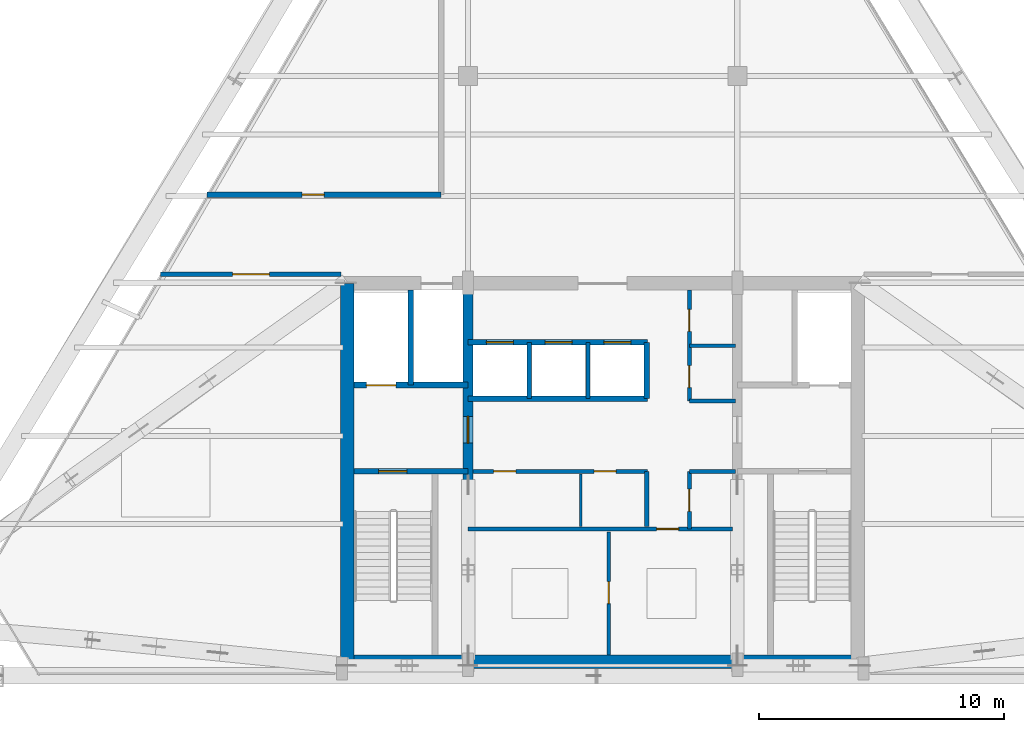
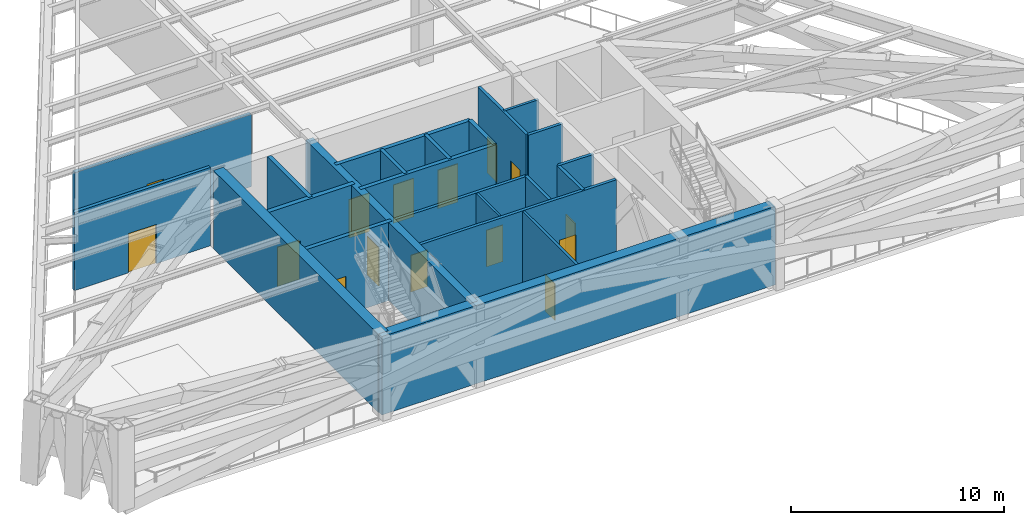
# One storey, part 6 of 9: 23 walls, 15 doors, 15 openings.
"""IFC4 building model written with IfcOpenShell, lengths in metres."""

import ifcopenshell
import ifcopenshell.guid

model = None  # the IFC model being written
_history = None  # IfcOwnerHistory: only IFC2X3 demands one
_inside = {}  # id of a spatial element -> (the spatial element, [elements in it])
_under = {}  # id of a project, library or spatial element -> (it, [spatial elements below it])
_declared = {}  # id of a project -> (the project, [libraries it declares])
_typed = {}  # id of a type object -> (the type object, [elements of that type])
_made_of = {}  # id of a material, layer set ... -> (it, [elements and type objects made of it])


def new_model(schema):
    """Start an empty IFC model of exactly this schema.

    Asked for "IFC4X3", IfcOpenShell would pick the latest addendum, in which some entities
    have other attributes; the version numbers below select the first issue.
    IFC2X3 requires an IfcOwnerHistory on every rooted entity: one is made here for all.
    """
    global model, _history
    if schema == "IFC4X3":
        model = ifcopenshell.file(schema_version=(4, 3, 0, 0))
    else:
        model = ifcopenshell.file(schema=schema)
    _inside.clear()
    _under.clear()
    _declared.clear()
    _typed.clear()
    _made_of.clear()
    _history = None
    if model.schema == "IFC2X3":
        org = make("IfcOrganization", Name="unknown")
        user = make(
            "IfcPersonAndOrganization",
            ThePerson=make("IfcPerson", FamilyName="unknown"),
            TheOrganization=org,
        )
        app = make(
            "IfcApplication",
            ApplicationDeveloper=org,
            Version="unknown",
            ApplicationFullName="unknown",
            ApplicationIdentifier="unknown",
        )
        _history = make(
            "IfcOwnerHistory",
            OwningUser=user,
            OwningApplication=app,
            ChangeAction="ADDED",
            CreationDate=0,
        )
    return model


def make(cls, **values):
    """One entity of the class cls with the attributes given. An attribute that is None is left unset."""
    return model.create_entity(
        cls, **{name: value for name, value in values.items() if value is not None}
    )


def rooted(cls, **values):
    """An entity with a GlobalId (a new one), such as an element, a storey or a relation."""
    return make(cls, GlobalId=ifcopenshell.guid.new(), OwnerHistory=_history, **values)


def si_unit(unit_type, name, prefix=None):
    """IfcSIUnit, for example si_unit("LENGTHUNIT", "METRE", prefix="MILLI")."""
    return make("IfcSIUnit", UnitType=unit_type, Prefix=prefix, Name=name)


def assignment(units):
    """IfcUnitAssignment: the units of a project."""
    return None if units is None else make("IfcUnitAssignment", Units=units)


def point(xyz):
    """IfcCartesianPoint."""
    return None if xyz is None else make("IfcCartesianPoint", Coordinates=xyz)


def direction(xyz):
    """IfcDirection."""
    return None if xyz is None else make("IfcDirection", DirectionRatios=xyz)


def frame(location, z_axis=None, x_axis=None):
    """IfcAxis2Placement3D, a coordinate frame: its origin and axes. An axis left out is left unset."""
    return make(
        "IfcAxis2Placement3D",
        Location=point(location),
        Axis=direction(z_axis),
        RefDirection=direction(x_axis),
    )


def frame_2d(location, x_axis=None):
    """IfcAxis2Placement2D, a coordinate frame in the plane: its origin and x axis."""
    return make(
        "IfcAxis2Placement2D", Location=point(location), RefDirection=direction(x_axis)
    )


def origin():
    """The frame at (0, 0, 0) with its axes left unset."""
    return frame((0.0, 0.0, 0.0))


def place(relative_to, where):
    """IfcLocalPlacement: puts the frame where relative to a parent placement (None: the world)."""
    return make(
        "IfcLocalPlacement", PlacementRelTo=relative_to, RelativePlacement=where
    )


def context(
    kind, dimensions, precision=None, world=None, true_north=None, identifier=None
):
    """IfcGeometricRepresentationContext, for example the 3D "Model" context."""
    return make(
        "IfcGeometricRepresentationContext",
        ContextIdentifier=identifier,
        ContextType=kind,
        CoordinateSpaceDimension=dimensions,
        Precision=precision,
        WorldCoordinateSystem=world,
        TrueNorth=true_north,
    )


def subcontext(parent, identifier, kind, view, scale=None):
    """IfcGeometricRepresentationSubContext, for example "Body" below "Model"."""
    return make(
        "IfcGeometricRepresentationSubContext",
        ContextIdentifier=identifier,
        ContextType=kind,
        ParentContext=parent,
        TargetScale=scale,
        TargetView=view,
    )


def project(units=None, contexts=None):
    """IfcProject with its units and contexts."""
    return rooted(
        "IfcProject",
        Name="project",
        RepresentationContexts=contexts,
        UnitsInContext=assignment(units),
    )


def spatial(cls, under=None, at=None, **own):
    """A site, building, storey or space (cls), placed at a placement, below another one or the project."""
    s = rooted(cls, ObjectPlacement=at, **own)
    if under is not None:
        _under.setdefault(under.id(), (under, []))[1].append(s)
    return s


def profile(cls, at=None, kind="AREA", **sizes):
    """A parametric profile (cls). Its sizes go by their IFC names, for example OverallWidth=200.0."""
    return make(cls, ProfileType=kind, Position=at, **sizes)


def rectangle(**sizes):
    """IfcRectangleProfileDef."""
    return profile("IfcRectangleProfileDef", **sizes)


def extrude(swept, where, along, depth):
    """IfcExtrudedAreaSolid: the profile swept, set in the frame where, extruded along a direction by depth."""
    return make(
        "IfcExtrudedAreaSolid",
        SweptArea=swept,
        Position=where,
        ExtrudedDirection=direction(along),
        Depth=depth,
    )


def shape(context_of_items, identifier, shape_type, items):
    """IfcShapeRepresentation: the items that make up one representation, for example the "Body"."""
    return make(
        "IfcShapeRepresentation",
        ContextOfItems=context_of_items,
        RepresentationIdentifier=identifier,
        RepresentationType=shape_type,
        Items=items,
    )


def source(mapping_origin, context_of_items, identifier, shape_type, items):
    """IfcRepresentationMap: a shape defined once, which mapped items show again and again."""
    return make(
        "IfcRepresentationMap",
        MappingOrigin=mapping_origin,
        MappedRepresentation=shape(context_of_items, identifier, shape_type, items),
    )


def transform(
    local_origin,
    x_axis=None,
    y_axis=None,
    z_axis=None,
    scale=None,
    scale2=None,
    scale3=None,
    uniform=True,
):
    """IfcCartesianTransformationOperator3D, or its non-uniform kind. x_axis, y_axis, z_axis: its Axis1, 2, 3."""
    if uniform:
        return make(
            "IfcCartesianTransformationOperator3D",
            Axis1=direction(x_axis),
            Axis2=direction(y_axis),
            LocalOrigin=point(local_origin),
            Scale=scale,
            Axis3=direction(z_axis),
        )
    return make(
        "IfcCartesianTransformationOperator3DnonUniform",
        Axis1=direction(x_axis),
        Axis2=direction(y_axis),
        LocalOrigin=point(local_origin),
        Scale=scale,
        Axis3=direction(z_axis),
        Scale2=scale2,
        Scale3=scale3,
    )


def mapped(mapping_source, mapping_target):
    """IfcMappedItem: shows the shape of a source again, moved by a transform."""
    return make(
        "IfcMappedItem", MappingSource=mapping_source, MappingTarget=mapping_target
    )


def material(Name=None, Category=None):
    """IfcMaterial."""
    return make("IfcMaterial", Name=Name, Category=Category)


def layer(
    of_material, thickness, ventilated=None, Name=None, Category=None, Priority=None
):
    """IfcMaterialLayer: one layer of a wall or slab, of a material (None: an air gap)."""
    return make(
        "IfcMaterialLayer",
        Material=of_material,
        LayerThickness=thickness,
        IsVentilated=ventilated,
        Name=Name,
        Category=Category,
        Priority=Priority,
    )


def layer_set(layers, Name=None):
    """IfcMaterialLayerSet."""
    return make("IfcMaterialLayerSet", MaterialLayers=layers, LayerSetName=Name)


def made_of(thing, what):
    """Note that an element or type object is made of a material, layer set ...; save() writes the relation."""
    if what is not None:
        _made_of.setdefault(what.id(), (what, []))[1].append(thing)
    return thing


def type_object(cls, material=None, **own):
    """A type object (cls), such as IfcWallType, which elements share."""
    return made_of(rooted(cls, **own), material)


def type_shapes(of_type, sources):
    """Give a type object the sources (RepresentationMaps) that its elements show as mapped items."""
    of_type.RepresentationMaps = sources


def element(
    cls,
    number,
    at=None,
    inside=None,
    cuts=None,
    type_object=None,
    material=None,
    context=None,
    identifier="Body",
    shape_type=None,
    held_by="IfcProductDefinitionShape",
    body=None,
    shapes=None,
    **own,
):
    """One element of the class cls, such as IfcWall. Its Tag is "e" and its number.

    at: its placement. inside: the storey or other place that contains it. cuts: it is an
    opening in that element (IfcRelVoidsElement). A single representation is given by context,
    identifier, shape_type and body (its items); several are given by shapes. held_by: the class
    of the entity that holds the representations. save() writes the other relations.
    """
    e = rooted(cls, Tag="e%d" % number, ObjectPlacement=at, **own)
    if body is not None:
        shapes = [shape(context, identifier, shape_type, body)]
    if shapes is not None:
        e.Representation = make(held_by, Representations=shapes)
    if inside is not None:
        _inside.setdefault(inside.id(), (inside, []))[1].append(e)
    if cuts is not None:
        rooted(
            "IfcRelVoidsElement", RelatingBuildingElement=cuts, RelatedOpeningElement=e
        )
    if type_object is not None:
        _typed.setdefault(type_object.id(), (type_object, []))[1].append(e)
    return made_of(e, material)


def fill(opening, filler):
    """IfcRelFillsElement: the door or window that sits in an opening."""
    return rooted(
        "IfcRelFillsElement",
        RelatingOpeningElement=opening,
        RelatedBuildingElement=filler,
    )


def aggregate(whole, parts):
    """IfcRelAggregates: a whole, such as a stair, and the parts it consists of."""
    return rooted("IfcRelAggregates", RelatingObject=whole, RelatedObjects=parts)


def save(model, path):
    """Write the relations noted so far, then the file.

    IfcRelAggregates (storeys below a building ...), IfcRelContainedInSpatialStructure (elements
    in a storey), IfcRelDefinesByType, IfcRelAssociatesMaterial and IfcRelDeclares: one each for
    every whole, place, type object, material and project.
    """
    for whole, parts in _under.values():
        aggregate(whole, parts)
    for where, things in _inside.values():
        rooted(
            "IfcRelContainedInSpatialStructure",
            RelatedElements=things,
            RelatingStructure=where,
        )
    for kind, things in _typed.values():
        rooted("IfcRelDefinesByType", RelatedObjects=things, RelatingType=kind)
    for what, things in _made_of.values():
        rooted("IfcRelAssociatesMaterial", RelatedObjects=things, RelatingMaterial=what)
    for by, libraries in _declared.values():
        rooted("IfcRelDeclares", RelatingContext=by, RelatedDefinitions=libraries)
    model.write(path)


model = new_model("IFC4")

# Units and contexts
model_context = context("Model", 3, precision=1e-05, world=origin(), true_north=direction((0.0, 1.0)))
body_context = subcontext(model_context, "Body", "Model", "MODEL_VIEW")
ifc_project = project(units=[si_unit("LENGTHUNIT", "METRE"), si_unit("AREAUNIT", "SQUARE_METRE"), si_unit("VOLUMEUNIT", "CUBIC_METRE"), si_unit("PLANEANGLEUNIT", "RADIAN"), si_unit("MASSUNIT", "GRAM", prefix="KILO")], contexts=[model_context])

# Site, building, storey
site_placement = place(None, origin())
site = spatial("IfcSite", under=ifc_project, at=site_placement, CompositionType="ELEMENT")
building_placement = place(site_placement, origin())
building = spatial("IfcBuilding", under=site, at=building_placement, Name="Varnakhor Terracotta Tower", CompositionType="ELEMENT")
storey_placement = place(building_placement, frame((0.0, 0.0, 257.949951171875)))
storey = spatial("IfcBuildingStorey", under=building, at=storey_placement, Name="L67", CompositionType="ELEMENT", Elevation=257.949951171875)

# Walls
ifc_material_1 = material(Name="Concrete C50/60", Category="concrete")
ifc_layer_1 = layer(ifc_material_1, 0.550048828125, Name="Concrete C50/60")
ifc_layer_set_1 = layer_set([ifc_layer_1], Name="Concrete C50/60")
wall_type_1 = type_object("IfcWallType", Name="WAL-CORE-550", PredefinedType="SHEAR", material=ifc_layer_set_1)
wall_1_placement = place(storey_placement, frame((-10.64990234375, 0.574951171875, 0.0), z_axis=(0.0, 0.0, 1.0), x_axis=(1.0, 0.0, 0.0)))
element("IfcWall", 1, at=wall_1_placement, inside=storey, type_object=wall_type_1, Name="L67 South Core Shear Wall", PredefinedType="SHEAR", context=body_context, shape_type="SweptSolid", body=[
    extrude(rectangle(XDim=21.2998046875, YDim=0.550048828125, at=frame_2d((10.64990234375, 0.0))), origin(), (0.0, 0.0, 1.0), 4.489990234375),
])
wall_2_placement = place(storey_placement, frame((-10.425048828125, 0.574951171875, 0.0), z_axis=(0.0, 0.0, 1.0), x_axis=(0.0, 1.0, 0.0)))
element("IfcWall", 2, at=wall_2_placement, inside=storey, type_object=wall_type_1, Name="L67 West Core Shear Wall", PredefinedType="SHEAR", context=body_context, shape_type="SweptSolid", body=[
    extrude(rectangle(XDim=15.449951171875, YDim=0.550048828125, at=frame_2d((7.72509765625, 0.0))), origin(), (0.0, 0.0, 1.0), 4.489990234375),
])

# Wall, opening, door
ifc_layer_2 = layer(ifc_material_1, 0.39990234375, Name="Concrete C50/60")
ifc_layer_set_2 = layer_set([ifc_layer_2], Name="Concrete C50/60")
wall_type_2 = type_object("IfcWallType", Name="WAL-CORE-WEB-400", PredefinedType="SHEAR", material=ifc_layer_set_2)
wall_3_placement = place(storey_placement, frame((-5.5, 0.574951171875, 0.0), z_axis=(0.0, 0.0, 1.0), x_axis=(0.0, 1.0, 0.0)))
wall_3 = element("IfcWall", 3, at=wall_3_placement, inside=storey, type_object=wall_type_2, Name="L67 West Core Web Shear Wall", PredefinedType="SHEAR", context=body_context, shape_type="SweptSolid", body=[
    extrude(rectangle(XDim=15.449951171875, YDim=0.39990234375, at=frame_2d((7.72509765625, 0.0))), origin(), (0.0, 0.0, 1.0), 4.489990234375),
])
opening_1_placement = place(wall_3_placement, frame((8.925048828125, 0.0, 0.0)))
opening_1 = element("IfcOpeningElement", 4, at=opening_1_placement, cuts=wall_3, Name="Opening DR-25", PredefinedType="OPENING", context=body_context, shape_type="SweptSolid", body=[
    extrude(rectangle(XDim=1.10009765625, YDim=2.199951171875, at=frame_2d((0.550048828125, 1.10009765625))), frame((0.0, 0.2099609375, 0.0), z_axis=(0.0, -1.0, 0.0), x_axis=(1.0, 0.0, 0.0)), (0.0, 0.0, 1.0), 0.419921875),
])
ifc_material_2 = material(Name="Firefighting Lobby Self-Closing Fire Door", Category="steel")
door_type_1 = type_object("IfcDoorType", Name="DR-FFL-1100X2200", OperationType="NOTDEFINED", PredefinedType="DOOR", material=ifc_material_2)
shared_shape_1 = source(origin(), body_context, "Body", "SweptSolid", [
    extrude(rectangle(XDim=1.10009765625, YDim=2.199951171875, at=frame_2d((0.550048828125, 1.10009765625))), frame((0.0, 0.02490234375, 0.0), z_axis=(0.0, -1.0, 0.0), x_axis=(1.0, 0.0, 0.0)), (0.0, 0.0, 1.0), 0.050048828125),
])
type_shapes(door_type_1, [shared_shape_1])
door_1_placement = place(opening_1_placement, origin())
door_1 = element("IfcDoor", 5, at=door_1_placement, inside=storey, type_object=door_type_1, Name="L67 West Firefighting Lobby Door", OperationType="SINGLE_SWING_LEFT", OverallHeight=2.199951171875, OverallWidth=1.10009765625, PredefinedType="DOOR", context=body_context, shape_type="MappedRepresentation", body=[
    mapped(shared_shape_1, transform((0.0, 0.0, 0.0), scale=1.0)),
])
fill(opening_1, door_1)

ifc_material_3 = material(Name="Fire-Rated Gypsum Stud Partition", Category="gypsum")
ifc_layer_3 = layer(ifc_material_3, 0.18505859375, Name="Fire-Rated Gypsum Stud Partition")
ifc_layer_set_3 = layer_set([ifc_layer_3], Name="Fire-Rated Gypsum Stud Partition")
wall_type_3 = type_object("IfcWallType", Name="WAL-CORR-185", PredefinedType="PARTITIONING", material=ifc_layer_set_3)
wall_4_placement = place(storey_placement, frame((-18.05859375, 16.39990234375, 0.0), z_axis=(0.0, 0.0, 1.0), x_axis=(1.0, 0.0, 0.0)))
wall_4 = element("IfcWall", 6, at=wall_4_placement, inside=storey, type_object=wall_type_3, Name="L67 West Plant Wall", PredefinedType="PARTITIONING", context=body_context, shape_type="SweptSolid", body=[
    extrude(rectangle(XDim=7.378662109375, YDim=0.18505859375, at=frame_2d((3.689453125, 0.0))), origin(), (0.0, 0.0, 1.0), 4.48193359375),
])
opening_2_placement = place(wall_4_placement, frame((2.939208984375, 0.0, 0.0)))
opening_2 = element("IfcOpeningElement", 7, at=opening_2_placement, cuts=wall_4, Name="Opening DR-30", PredefinedType="OPENING", context=body_context, shape_type="SweptSolid", body=[
    extrude(rectangle(XDim=1.5, YDim=2.25, at=frame_2d((0.75, 1.125))), frame((0.0, 0.1025390625, 0.0), z_axis=(0.0, -1.0, 0.0), x_axis=(1.0, 0.0, 0.0)), (0.0, 0.0, 1.0), 0.205078125),
])
ifc_material_4 = material(Name="Double Acoustic Conference Room Door", Category="wood")
door_type_2 = type_object("IfcDoorType", Name="DR-MEET-1500X2250", OperationType="NOTDEFINED", PredefinedType="DOOR", material=ifc_material_4)
shared_shape_2 = source(origin(), body_context, "Body", "SweptSolid", [
    extrude(rectangle(XDim=1.5, YDim=2.25, at=frame_2d((0.75, 1.125))), frame((0.0, 0.02490234375, 0.0), z_axis=(0.0, -1.0, 0.0), x_axis=(1.0, 0.0, 0.0)), (0.0, 0.0, 1.0), 0.050048828125),
])
type_shapes(door_type_2, [shared_shape_2])
door_2_placement = place(opening_2_placement, origin())
door_2 = element("IfcDoor", 8, at=door_2_placement, inside=storey, type_object=door_type_2, Name="L67 West Mechanical Room Door", OperationType="DOUBLE_DOOR_SINGLE_SWING", OverallHeight=2.25, OverallWidth=1.5, PredefinedType="DOOR", context=body_context, shape_type="MappedRepresentation", body=[
    mapped(shared_shape_2, transform((0.0, 0.0, 0.0), scale=1.0)),
])
fill(opening_2, door_2)

ifc_material_5 = material(Name="Concrete C40/50", Category="concrete")
ifc_layer_4 = layer(ifc_material_5, 0.219970703125, Name="Concrete C40/50")
ifc_layer_set_4 = layer_set([ifc_layer_4], Name="Concrete C40/50")
wall_type_4 = type_object("IfcWallType", Name="WAL-FFLOBBY-220", PredefinedType="SOLIDWALL", material=ifc_layer_set_4)
wall_5_placement = place(storey_placement, frame((-5.5, 8.35009765625, 0.0), z_axis=(0.0, 0.0, 1.0), x_axis=(-1.0, 0.0, 0.0)))
wall_5 = element("IfcWall", 9, at=wall_5_placement, inside=storey, type_object=wall_type_4, Name="L67 West Firefighting Lobby Stair Wall", PredefinedType="SOLIDWALL", context=body_context, shape_type="SweptSolid", body=[
    extrude(rectangle(XDim=4.64990234375, YDim=0.219970703125, at=frame_2d((2.324951171875, 0.0))), origin(), (0.0, 0.0, 1.0), 4.489990234375),
])
opening_3_placement = place(wall_5_placement, frame((2.5, 0.0, 0.0)))
opening_3 = element("IfcOpeningElement", 10, at=opening_3_placement, cuts=wall_5, Name="Opening DR-34", PredefinedType="OPENING", context=body_context, shape_type="SweptSolid", body=[
    extrude(rectangle(XDim=1.14990234375, YDim=2.199951171875, at=frame_2d((0.574951171875, 1.10009765625))), frame((0.0, 0.1201171875, 0.0), z_axis=(0.0, -1.0, 0.0), x_axis=(1.0, 0.0, 0.0)), (0.0, 0.0, 1.0), 0.239990234375),
])
ifc_material_6 = material(Name="Self-Closing Smoke-Sealed Steel Fire Door", Category="steel")
door_type_3 = type_object("IfcDoorType", Name="DR-STAIR-1150X2200", OperationType="NOTDEFINED", PredefinedType="DOOR", material=ifc_material_6)
shared_shape_3 = source(origin(), body_context, "Body", "SweptSolid", [
    extrude(rectangle(XDim=1.14990234375, YDim=2.199951171875, at=frame_2d((0.574951171875, 1.10009765625))), frame((0.0, 0.02490234375, 0.0), z_axis=(0.0, -1.0, 0.0), x_axis=(1.0, 0.0, 0.0)), (0.0, 0.0, 1.0), 0.050048828125),
])
type_shapes(door_type_3, [shared_shape_3])
door_3_placement = place(opening_3_placement, origin())
door_3 = element("IfcDoor", 11, at=door_3_placement, inside=storey, type_object=door_type_3, Name="L67 Exit Stair ST-1 Fire Door", OperationType="SINGLE_SWING_RIGHT", OverallHeight=2.199951171875, OverallWidth=1.14990234375, PredefinedType="DOOR", context=body_context, shape_type="MappedRepresentation", body=[
    mapped(shared_shape_3, transform((0.0, 0.0, 0.0), scale=1.0)),
])
fill(opening_3, door_3)

wall_6_placement = place(storey_placement, frame((-16.164794921875, 19.64990234375, 0.0), z_axis=(0.0, 0.0, 1.0), x_axis=(1.0, 0.0, 0.0)))
wall_6 = element("IfcWall", 12, at=wall_6_placement, inside=storey, type_object=wall_type_4, Name="L67 Booster Pump South Firewall", PredefinedType="SOLIDWALL", context=body_context, shape_type="SweptSolid", body=[
    extrude(rectangle(XDim=9.564697265625, YDim=0.219970703125, at=frame_2d((4.7822265625, 0.0))), origin(), (0.0, 0.0, 1.0), 4.135009765625),
])
opening_4_placement = place(wall_6_placement, frame((3.88818359375, 0.0, 0.0)))
opening_4 = element("IfcOpeningElement", 13, at=opening_4_placement, cuts=wall_6, Name="Opening DR-67", PredefinedType="OPENING", context=body_context, shape_type="SweptSolid", body=[
    extrude(rectangle(XDim=0.89990234375, YDim=2.10009765625, at=frame_2d((0.449951171875, 1.050048828125))), frame((0.0, 0.1201171875, 0.0), z_axis=(0.0, -1.0, 0.0), x_axis=(1.0, 0.0, 0.0)), (0.0, 0.0, 1.0), 0.239990234375),
])
ifc_material_7 = material(Name="Steel Service Riser Fire Door", Category="steel")
door_type_4 = type_object("IfcDoorType", Name="DR-RISER-900X2100", OperationType="NOTDEFINED", PredefinedType="DOOR", material=ifc_material_7)
shared_shape_4 = source(origin(), body_context, "Body", "SweptSolid", [
    extrude(rectangle(XDim=0.89990234375, YDim=2.10009765625, at=frame_2d((0.449951171875, 1.050048828125))), frame((0.0, 0.02490234375, 0.0), z_axis=(0.0, -1.0, 0.0), x_axis=(1.0, 0.0, 0.0)), (0.0, 0.0, 1.0), 0.050048828125),
])
type_shapes(door_type_4, [shared_shape_4])
door_4_placement = place(opening_4_placement, origin())
door_4 = element("IfcDoor", 14, at=door_4_placement, inside=storey, type_object=door_type_4, Name="L67 Booster Pump Room Door", OperationType="SINGLE_SWING_LEFT", OverallHeight=2.10009765625, OverallWidth=0.89990234375, PredefinedType="DOOR", context=body_context, shape_type="MappedRepresentation", body=[
    mapped(shared_shape_4, transform((0.0, 0.0, 0.0), scale=1.0)),
])
fill(opening_4, door_4)

# Walls
ifc_layer_5 = layer(ifc_material_5, 0.179931640625, Name="Concrete C40/50")
ifc_layer_set_5 = layer_set([ifc_layer_5], Name="Concrete C40/50")
wall_type_5 = type_object("IfcWallType", Name="WAL-SHAFT-180", PredefinedType="SOLIDWALL", material=ifc_layer_set_5)
for number, where, z_axis, x_axis, name in (
    (15, (-3.0, 11.320068359375, 0.0), (0.0, 0.0, 1.0), (0.0, 1.0, 0.0), "L67 PL-3A Divider"),
    (16, (-0.60009765625, 11.320068359375, 0.0), (0.0, 0.0, 1.0), (0.0, 1.0, 0.0), "L67 PL-3B Divider"),
):
    element("IfcWall", number, at=place(storey_placement, frame(where, z_axis=z_axis, x_axis=x_axis)), inside=storey, type_object=wall_type_5, Name=name, PredefinedType="SOLIDWALL", context=body_context, shape_type="SweptSolid", body=[
        extrude(rectangle(XDim=2.300048828125, YDim=0.179931640625, at=frame_2d((1.14990234375, 0.0))), origin(), (0.0, 0.0, 1.0), 4.489990234375),
    ])
ifc_layer_6 = layer(ifc_material_5, 0.219970703125, Name="Concrete C40/50")
ifc_layer_set_6 = layer_set([ifc_layer_6], Name="Concrete C40/50")
wall_type_6 = type_object("IfcWallType", Name="WAL-SHAFT-220", PredefinedType="SOLIDWALL", material=ifc_layer_set_6)
wall_7_placement = place(storey_placement, frame((-7.840087890625, 11.8701171875, 0.0), z_axis=(0.0, 0.0, 1.0), x_axis=(0.0, 1.0, 0.0)))
element("IfcWall", 17, at=wall_7_placement, inside=storey, type_object=wall_type_6, Name="L67 Lift FFL-1 and SVL-1 Divider Wall", PredefinedType="SOLIDWALL", context=body_context, shape_type="SweptSolid", body=[
    extrude(rectangle(XDim=3.8798828125, YDim=0.219970703125, at=frame_2d((1.93994140625, 0.0))), origin(), (0.0, 0.0, 1.0), 4.489990234375),
])
wall_8_placement = place(storey_placement, frame((-5.5, 11.320068359375, 0.0), z_axis=(0.0, 0.0, 1.0), x_axis=(1.0, 0.0, 0.0)))
element("IfcWall", 18, at=wall_8_placement, inside=storey, type_object=wall_type_6, Name="L67 Bank 3 South Shaft Wall", PredefinedType="SOLIDWALL", context=body_context, shape_type="SweptSolid", body=[
    extrude(rectangle(XDim=7.320068359375, YDim=0.219970703125, at=frame_2d((3.66015625, 0.0))), origin(), (0.0, 0.0, 1.0), 4.489990234375),
])

# Wall, openings, doors
wall_9_placement = place(storey_placement, frame((-5.5, 13.6201171875, 0.0), z_axis=(0.0, 0.0, 1.0), x_axis=(1.0, 0.0, 0.0)))
wall_9 = element("IfcWall", 19, at=wall_9_placement, inside=storey, type_object=wall_type_6, Name="L67 Bank 3 North Shaft Wall", PredefinedType="SOLIDWALL", context=body_context, shape_type="SweptSolid", body=[
    extrude(rectangle(XDim=7.320068359375, YDim=0.219970703125, at=frame_2d((3.66015625, 0.0))), origin(), (0.0, 0.0, 1.0), 4.489990234375),
])
opening_5_placement = place(wall_9_placement, frame((0.75, 0.0, 0.0)))
opening_5 = element("IfcOpeningElement", 20, at=opening_5_placement, cuts=wall_9, Name="Opening LD-01", PredefinedType="OPENING", context=body_context, shape_type="SweptSolid", body=[
    extrude(rectangle(XDim=1.10009765625, YDim=2.199951171875, at=frame_2d((0.550048828125, 1.10009765625))), frame((0.0, 0.1201171875, 0.0), z_axis=(0.0, -1.0, 0.0), x_axis=(1.0, 0.0, 0.0)), (0.0, 0.0, 1.0), 0.239990234375),
])
opening_6_placement = place(wall_9_placement, frame((3.14990234375, 0.0, 0.0)))
opening_6 = element("IfcOpeningElement", 21, at=opening_6_placement, cuts=wall_9, Name="Opening LD-01", PredefinedType="OPENING", context=body_context, shape_type="SweptSolid", body=[
    extrude(rectangle(XDim=1.10009765625, YDim=2.199951171875, at=frame_2d((0.550048828125, 1.10009765625))), frame((0.0, 0.1201171875, 0.0), z_axis=(0.0, -1.0, 0.0), x_axis=(1.0, 0.0, 0.0)), (0.0, 0.0, 1.0), 0.239990234375),
])
opening_7_placement = place(wall_9_placement, frame((5.550048828125, 0.0, 0.0)))
opening_7 = element("IfcOpeningElement", 22, at=opening_7_placement, cuts=wall_9, Name="Opening LD-01", PredefinedType="OPENING", context=body_context, shape_type="SweptSolid", body=[
    extrude(rectangle(XDim=1.10009765625, YDim=2.199951171875, at=frame_2d((0.550048828125, 1.10009765625))), frame((0.0, 0.1201171875, 0.0), z_axis=(0.0, -1.0, 0.0), x_axis=(1.0, 0.0, 0.0)), (0.0, 0.0, 1.0), 0.239990234375),
])
ifc_material_8 = material(Name="Brushed Stainless Steel Sliding Lift Landing Door", Category="steel")
door_type_5 = type_object("IfcDoorType", Name="LD-PASS-1100X2200", OperationType="NOTDEFINED", PredefinedType="DOOR", material=ifc_material_8)
shared_shape_5 = source(origin(), body_context, "Body", "SweptSolid", [
    extrude(rectangle(XDim=1.10009765625, YDim=2.199951171875, at=frame_2d((0.550048828125, 1.10009765625))), frame((0.0, 0.02490234375, 0.0), z_axis=(0.0, -1.0, 0.0), x_axis=(1.0, 0.0, 0.0)), (0.0, 0.0, 1.0), 0.050048828125),
])
type_shapes(door_type_5, [shared_shape_5])
door_5_placement = place(opening_5_placement, origin())
door_5 = element("IfcDoor", 23, at=door_5_placement, inside=storey, type_object=door_type_5, Name="L67 Passenger Lift PL-3A Landing Door", OperationType="SLIDING_TO_RIGHT", OverallHeight=2.199951171875, OverallWidth=1.10009765625, PredefinedType="DOOR", context=body_context, shape_type="MappedRepresentation", body=[
    mapped(shared_shape_5, transform((0.0, 0.0, 0.0), scale=1.0)),
])
fill(opening_5, door_5)
door_6_placement = place(opening_6_placement, origin())
door_6 = element("IfcDoor", 24, at=door_6_placement, inside=storey, type_object=door_type_5, Name="L67 Passenger Lift PL-3B Landing Door", OperationType="SLIDING_TO_RIGHT", OverallHeight=2.199951171875, OverallWidth=1.10009765625, PredefinedType="DOOR", context=body_context, shape_type="MappedRepresentation", body=[
    mapped(shared_shape_5, transform((0.0, 0.0, 0.0), scale=1.0)),
])
fill(opening_6, door_6)
door_7_placement = place(opening_7_placement, origin())
door_7 = element("IfcDoor", 25, at=door_7_placement, inside=storey, type_object=door_type_5, Name="L67 Passenger Lift PL-3C Landing Door", OperationType="SLIDING_TO_RIGHT", OverallHeight=2.199951171875, OverallWidth=1.10009765625, PredefinedType="DOOR", context=body_context, shape_type="MappedRepresentation", body=[
    mapped(shared_shape_5, transform((0.0, 0.0, 0.0), scale=1.0)),
])
fill(opening_7, door_7)

# Wall
wall_10_placement = place(storey_placement, frame((1.800048828125, 11.320068359375, 0.0), z_axis=(0.0, 0.0, 1.0), x_axis=(0.0, 1.0, 0.0)))
element("IfcWall", 26, at=wall_10_placement, inside=storey, type_object=wall_type_6, Name="L67 Bank 3 East Shaft Wall", PredefinedType="SOLIDWALL", context=body_context, shape_type="SweptSolid", body=[
    extrude(rectangle(XDim=2.300048828125, YDim=0.219970703125, at=frame_2d((1.14990234375, 0.0))), origin(), (0.0, 0.0, 1.0), 4.489990234375),
])

# Wall, opening, door
ifc_layer_7 = layer(ifc_material_5, 0.25, Name="Concrete C40/50")
ifc_layer_set_7 = layer_set([ifc_layer_7], Name="Concrete C40/50")
wall_type_7 = type_object("IfcWallType", Name="WAL-SHAFT-250", PredefinedType="SOLIDWALL", material=ifc_layer_set_7)
wall_11_placement = place(storey_placement, frame((-5.5, 11.8701171875, 0.0), z_axis=(0.0, 0.0, 1.0), x_axis=(-1.0, 0.0, 0.0)))
wall_11 = element("IfcWall", 27, at=wall_11_placement, inside=storey, type_object=wall_type_7, Name="L67 Lift FFL-1 Shaft Front Wall", PredefinedType="SOLIDWALL", context=body_context, shape_type="SweptSolid", body=[
    extrude(rectangle(XDim=4.64990234375, YDim=0.25, at=frame_2d((2.324951171875, 0.0))), origin(), (0.0, 0.0, 1.0), 4.489990234375),
])
opening_8_placement = place(wall_11_placement, frame((2.949951171875, 0.0, 0.0)))
opening_8 = element("IfcOpeningElement", 28, at=opening_8_placement, cuts=wall_11, Name="Opening LD-02", PredefinedType="OPENING", context=body_context, shape_type="SweptSolid", body=[
    extrude(rectangle(XDim=1.199951171875, YDim=2.25, at=frame_2d((0.60009765625, 1.125))), frame((0.0, 0.135009765625, 0.0), z_axis=(0.0, -1.0, 0.0), x_axis=(1.0, 0.0, 0.0)), (0.0, 0.0, 1.0), 0.27001953125),
])
ifc_material_9 = material(Name="Firefighting Stretcher Sliding Lift Landing Door", Category="steel")
door_type_6 = type_object("IfcDoorType", Name="LD-FFL-1200X2250", OperationType="NOTDEFINED", PredefinedType="DOOR", material=ifc_material_9)
shared_shape_6 = source(origin(), body_context, "Body", "SweptSolid", [
    extrude(rectangle(XDim=1.199951171875, YDim=2.25, at=frame_2d((0.60009765625, 1.125))), frame((0.0, 0.02490234375, 0.0), z_axis=(0.0, -1.0, 0.0), x_axis=(1.0, 0.0, 0.0)), (0.0, 0.0, 1.0), 0.050048828125),
])
type_shapes(door_type_6, [shared_shape_6])
door_8_placement = place(opening_8_placement, origin())
door_8 = element("IfcDoor", 29, at=door_8_placement, inside=storey, type_object=door_type_6, Name="L67 Firefighting Lift FFL-1 Landing Door", OperationType="SLIDING_TO_LEFT", OverallHeight=2.25, OverallWidth=1.199951171875, PredefinedType="DOOR", context=body_context, shape_type="MappedRepresentation", body=[
    mapped(shared_shape_6, transform((0.0, 0.0, 0.0), scale=1.0)),
])
fill(opening_8, door_8)

# Wall
ifc_material_10 = material(Name="Acoustic Fire-Rated Partition", Category="gypsum")
ifc_layer_8 = layer(ifc_material_10, 0.114990234375, Name="Acoustic Fire-Rated Partition")
ifc_layer_set_8 = layer_set([ifc_layer_8], Name="Acoustic Fire-Rated Partition")
wall_type_8 = type_object("IfcWallType", Name="WAL-TENANCY-115", PredefinedType="PARTITIONING", material=ifc_layer_set_8)
wall_12_placement = place(storey_placement, frame((-0.89990234375, 6.10009765625, 0.0), z_axis=(0.0, 0.0, 1.0), x_axis=(0.0, 1.0, 0.0)))
element("IfcWall", 30, at=wall_12_placement, inside=storey, type_object=wall_type_8, Name="L67 Reclaimed Mid-Core Split Wall", PredefinedType="PARTITIONING", context=body_context, shape_type="SweptSolid", body=[
    extrude(rectangle(XDim=2.14990234375, YDim=0.114990234375, at=frame_2d((1.074951171875, 0.0))), origin(), (0.0, 0.0, 1.0), 4.48193359375),
])

# Wall, opening, door
ifc_layer_9 = layer(ifc_material_10, 0.139892578125, Name="Acoustic Fire-Rated Partition")
ifc_layer_set_9 = layer_set([ifc_layer_9], Name="Acoustic Fire-Rated Partition")
wall_type_9 = type_object("IfcWallType", Name="WAL-TENANCY-140", PredefinedType="PARTITIONING", material=ifc_layer_set_9)
wall_13_placement = place(storey_placement, frame((0.25, 0.85009765625, 0.0), z_axis=(0.0, 0.0, 1.0), x_axis=(0.0, 1.0, 0.0)))
wall_13 = element("IfcWall", 31, at=wall_13_placement, inside=storey, type_object=wall_type_9, Name="L67 Reclaimed Core Bay Split Wall", PredefinedType="PARTITIONING", context=body_context, shape_type="SweptSolid", body=[
    extrude(rectangle(XDim=5.02978515625, YDim=0.139892578125, at=frame_2d((2.514892578125, 0.0))), origin(), (0.0, 0.0, 1.0), 4.48193359375),
])
opening_9_placement = place(wall_13_placement, frame((2.10009765625, 0.0, 0.0)))
opening_9 = element("IfcOpeningElement", 32, at=opening_9_placement, cuts=wall_13, Name="Opening DR-67", PredefinedType="OPENING", context=body_context, shape_type="SweptSolid", body=[
    extrude(rectangle(XDim=0.89990234375, YDim=2.10009765625, at=frame_2d((0.449951171875, 1.050048828125))), frame((0.0, 0.080078125, 0.0), z_axis=(0.0, -1.0, 0.0), x_axis=(1.0, 0.0, 0.0)), (0.0, 0.0, 1.0), 0.159912109375),
])
door_9_placement = place(opening_9_placement, origin())
door_9 = element("IfcDoor", 33, at=door_9_placement, inside=storey, type_object=door_type_4, Name="L67 Core Inner Service Door", OperationType="SINGLE_SWING_LEFT", OverallHeight=2.10009765625, OverallWidth=0.89990234375, PredefinedType="DOOR", context=body_context, shape_type="MappedRepresentation", body=[
    mapped(shared_shape_4, transform((0.0, 0.0, 0.0), scale=1.0)),
])
fill(opening_9, door_9)

# Wall
wall_14_placement = place(storey_placement, frame((3.5400390625, 13.47998046875, 0.0), z_axis=(0.0, 0.0, 1.0), x_axis=(1.0, 0.0, 0.0)))
element("IfcWall", 34, at=wall_14_placement, inside=storey, type_object=wall_type_9, Name="L67 Male and Female Restroom Divider Wall", PredefinedType="PARTITIONING", context=body_context, shape_type="SweptSolid", body=[
    extrude(rectangle(XDim=1.8798828125, YDim=0.139892578125, at=frame_2d((0.93994140625, 0.0))), origin(), (0.0, 0.0, 1.0), 4.48193359375),
])

# Wall, opening, door
ifc_layer_10 = layer(ifc_material_10, 0.1650390625, Name="Acoustic Fire-Rated Partition")
ifc_layer_set_10 = layer_set([ifc_layer_10], Name="Acoustic Fire-Rated Partition")
wall_type_10 = type_object("IfcWallType", Name="WAL-TENANCY-165", PredefinedType="PARTITIONING", material=ifc_layer_set_10)
wall_15_placement = place(storey_placement, frame((-5.5, 6.0, 0.0), z_axis=(0.0, 0.0, 1.0), x_axis=(1.0, 0.0, 0.0)))
wall_15 = element("IfcWall", 35, at=wall_15_placement, inside=storey, type_object=wall_type_10, Name="L67 Reclaimed Core Bay North Rated Wall", PredefinedType="PARTITIONING", context=body_context, shape_type="SweptSolid", body=[
    extrude(rectangle(XDim=10.800048828125, YDim=0.1650390625, at=frame_2d((5.39990234375, 0.0))), origin(), (0.0, 0.0, 1.0), 4.48193359375),
])
opening_10_placement = place(wall_15_placement, frame((7.699951171875, 0.0, 0.0)))
opening_10 = element("IfcOpeningElement", 36, at=opening_10_placement, cuts=wall_15, Name="Opening DR-67", PredefinedType="OPENING", context=body_context, shape_type="SweptSolid", body=[
    extrude(rectangle(XDim=0.89990234375, YDim=2.10009765625, at=frame_2d((0.449951171875, 1.050048828125))), frame((0.0, 0.092529296875, 0.0), z_axis=(0.0, -1.0, 0.0), x_axis=(1.0, 0.0, 0.0)), (0.0, 0.0, 1.0), 0.18505859375),
])
door_10_placement = place(opening_10_placement, origin())
door_10 = element("IfcDoor", 37, at=door_10_placement, inside=storey, type_object=door_type_4, Name="L67 Core Reclaimed Suite Door", OperationType="SINGLE_SWING_RIGHT", OverallHeight=2.10009765625, OverallWidth=0.89990234375, PredefinedType="DOOR", context=body_context, shape_type="MappedRepresentation", body=[
    mapped(shared_shape_4, transform((0.0, 0.0, 0.0), scale=1.0)),
])
fill(opening_10, door_10)

wall_16_placement = place(storey_placement, frame((3.5400390625, 6.0, 0.0), z_axis=(0.0, 0.0, 1.0), x_axis=(0.0, 1.0, 0.0)))
wall_16 = element("IfcWall", 38, at=wall_16_placement, inside=storey, type_object=wall_type_10, Name="L67 Accessible WC Rated Wall", PredefinedType="PARTITIONING", context=body_context, shape_type="SweptSolid", body=[
    extrude(rectangle(XDim=2.340087890625, YDim=0.1650390625, at=frame_2d((1.169921875, 0.0))), origin(), (0.0, 0.0, 1.0), 4.48193359375),
])
opening_11_placement = place(wall_16_placement, frame((0.719970703125, 0.0, 0.0)))
opening_11 = element("IfcOpeningElement", 39, at=opening_11_placement, cuts=wall_16, Name="Opening DR-67", PredefinedType="OPENING", context=body_context, shape_type="SweptSolid", body=[
    extrude(rectangle(XDim=0.89990234375, YDim=2.10009765625, at=frame_2d((0.449951171875, 1.050048828125))), frame((0.0, 0.092529296875, 0.0), z_axis=(0.0, -1.0, 0.0), x_axis=(1.0, 0.0, 0.0)), (0.0, 0.0, 1.0), 0.18505859375),
])
door_11_placement = place(opening_11_placement, origin())
door_11 = element("IfcDoor", 40, at=door_11_placement, inside=storey, type_object=door_type_4, Name="L67 Accessible WC Door", OperationType="SINGLE_SWING_RIGHT", OverallHeight=2.10009765625, OverallWidth=0.89990234375, PredefinedType="DOOR", context=body_context, shape_type="MappedRepresentation", body=[
    mapped(shared_shape_4, transform((0.0, 0.0, 0.0), scale=1.0)),
])
fill(opening_11, door_11)

# Wall
wall_17_placement = place(storey_placement, frame((3.5400390625, 8.340087890625, 0.0), z_axis=(0.0, 0.0, 1.0), x_axis=(1.0, 0.0, 0.0)))
element("IfcWall", 41, at=wall_17_placement, inside=storey, type_object=wall_type_10, Name="L67 Accessible WC North Wall", PredefinedType="PARTITIONING", context=body_context, shape_type="SweptSolid", body=[
    extrude(rectangle(XDim=1.8798828125, YDim=0.1650390625, at=frame_2d((0.93994140625, 0.0))), origin(), (0.0, 0.0, 1.0), 4.48193359375),
])

# Wall, openings, doors
wall_18_placement = place(storey_placement, frame((-5.300048828125, 8.35009765625, 0.0), z_axis=(0.0, 0.0, 1.0), x_axis=(1.0, 0.0, 0.0)))
wall_18 = element("IfcWall", 42, at=wall_18_placement, inside=storey, type_object=wall_type_10, Name="L67 Reclaimed Mid-Core North Wall", PredefinedType="PARTITIONING", context=body_context, shape_type="SweptSolid", body=[
    extrude(rectangle(XDim=7.1201171875, YDim=0.1650390625, at=frame_2d((3.56005859375, 0.0))), origin(), (0.0, 0.0, 1.0), 4.48193359375),
])
opening_12_placement = place(wall_18_placement, frame((0.85009765625, 0.0, 0.0)))
opening_12 = element("IfcOpeningElement", 43, at=opening_12_placement, cuts=wall_18, Name="Opening DR-67", PredefinedType="OPENING", context=body_context, shape_type="SweptSolid", body=[
    extrude(rectangle(XDim=0.89990234375, YDim=2.10009765625, at=frame_2d((0.449951171875, 1.050048828125))), frame((0.0, 0.092529296875, 0.0), z_axis=(0.0, -1.0, 0.0), x_axis=(1.0, 0.0, 0.0)), (0.0, 0.0, 1.0), 0.18505859375),
])
opening_13_placement = place(wall_18_placement, frame((4.949951171875, 0.0, 0.0)))
opening_13 = element("IfcOpeningElement", 44, at=opening_13_placement, cuts=wall_18, Name="Opening DR-67", PredefinedType="OPENING", context=body_context, shape_type="SweptSolid", body=[
    extrude(rectangle(XDim=0.89990234375, YDim=2.10009765625, at=frame_2d((0.449951171875, 1.050048828125))), frame((0.0, 0.092529296875, 0.0), z_axis=(0.0, -1.0, 0.0), x_axis=(1.0, 0.0, 0.0)), (0.0, 0.0, 1.0), 0.18505859375),
])
door_12_placement = place(opening_12_placement, origin())
door_12 = element("IfcDoor", 45, at=door_12_placement, inside=storey, type_object=door_type_4, Name="L67 Core West Restroom Door", OperationType="SINGLE_SWING_LEFT", OverallHeight=2.10009765625, OverallWidth=0.89990234375, PredefinedType="DOOR", context=body_context, shape_type="MappedRepresentation", body=[
    mapped(shared_shape_4, transform((0.0, 0.0, 0.0), scale=1.0)),
])
fill(opening_12, door_12)
door_13_placement = place(opening_13_placement, origin())
door_13 = element("IfcDoor", 46, at=door_13_placement, inside=storey, type_object=door_type_4, Name="L67 Core East Restroom Door", OperationType="SINGLE_SWING_RIGHT", OverallHeight=2.10009765625, OverallWidth=0.89990234375, PredefinedType="DOOR", context=body_context, shape_type="MappedRepresentation", body=[
    mapped(shared_shape_4, transform((0.0, 0.0, 0.0), scale=1.0)),
])
fill(opening_13, door_13)

# Wall
wall_19_placement = place(storey_placement, frame((1.800048828125, 6.10009765625, 0.0), z_axis=(0.0, 0.0, 1.0), x_axis=(0.0, 1.0, 0.0)))
element("IfcWall", 47, at=wall_19_placement, inside=storey, type_object=wall_type_10, Name="L67 Reclaimed Mid-Core East Wall", PredefinedType="PARTITIONING", context=body_context, shape_type="SweptSolid", body=[
    extrude(rectangle(XDim=2.25, YDim=0.1650390625, at=frame_2d((1.125, 0.0))), origin(), (0.0, 0.0, 1.0), 4.48193359375),
])

# Wall, openings, doors
wall_20_placement = place(storey_placement, frame((3.5400390625, 11.219970703125, 0.0), z_axis=(0.0, 0.0, 1.0), x_axis=(0.0, 1.0, 0.0)))
wall_20 = element("IfcWall", 48, at=wall_20_placement, inside=storey, type_object=wall_type_10, Name="L67 Restroom Corridor Wall", PredefinedType="PARTITIONING", context=body_context, shape_type="SweptSolid", body=[
    extrude(rectangle(XDim=4.530029296875, YDim=0.1650390625, at=frame_2d((2.26513671875, 0.0))), origin(), (0.0, 0.0, 1.0), 4.48193359375),
])
opening_14_placement = place(wall_20_placement, frame((0.550048828125, 0.0, 0.0)))
opening_14 = element("IfcOpeningElement", 49, at=opening_14_placement, cuts=wall_20, Name="Opening DR-67", PredefinedType="OPENING", context=body_context, shape_type="SweptSolid", body=[
    extrude(rectangle(XDim=0.89990234375, YDim=2.10009765625, at=frame_2d((0.449951171875, 1.050048828125))), frame((0.0, 0.092529296875, 0.0), z_axis=(0.0, -1.0, 0.0), x_axis=(1.0, 0.0, 0.0)), (0.0, 0.0, 1.0), 0.18505859375),
])
opening_15_placement = place(wall_20_placement, frame((2.85009765625, 0.0, 0.0)))
opening_15 = element("IfcOpeningElement", 50, at=opening_15_placement, cuts=wall_20, Name="Opening DR-67", PredefinedType="OPENING", context=body_context, shape_type="SweptSolid", body=[
    extrude(rectangle(XDim=0.89990234375, YDim=2.10009765625, at=frame_2d((0.449951171875, 1.050048828125))), frame((0.0, 0.092529296875, 0.0), z_axis=(0.0, -1.0, 0.0), x_axis=(1.0, 0.0, 0.0)), (0.0, 0.0, 1.0), 0.18505859375),
])
door_14_placement = place(opening_14_placement, origin())
door_14 = element("IfcDoor", 51, at=door_14_placement, inside=storey, type_object=door_type_4, Name="L67 Male WC Door", OperationType="SINGLE_SWING_LEFT", OverallHeight=2.10009765625, OverallWidth=0.89990234375, PredefinedType="DOOR", context=body_context, shape_type="MappedRepresentation", body=[
    mapped(shared_shape_4, transform((0.0, 0.0, 0.0), scale=1.0)),
])
fill(opening_14, door_14)
door_15_placement = place(opening_15_placement, origin())
door_15 = element("IfcDoor", 52, at=door_15_placement, inside=storey, type_object=door_type_4, Name="L67 Female WC Door", OperationType="SINGLE_SWING_RIGHT", OverallHeight=2.10009765625, OverallWidth=0.89990234375, PredefinedType="DOOR", context=body_context, shape_type="MappedRepresentation", body=[
    mapped(shared_shape_4, transform((0.0, 0.0, 0.0), scale=1.0)),
])
fill(opening_15, door_15)

# Wall
wall_21_placement = place(storey_placement, frame((3.5400390625, 11.219970703125, 0.0), z_axis=(0.0, 0.0, 1.0), x_axis=(1.0, 0.0, 0.0)))
element("IfcWall", 53, at=wall_21_placement, inside=storey, type_object=wall_type_10, Name="L67 Restroom South Wall", PredefinedType="PARTITIONING", context=body_context, shape_type="SweptSolid", body=[
    extrude(rectangle(XDim=1.8798828125, YDim=0.1650390625, at=frame_2d((0.93994140625, 0.0))), origin(), (0.0, 0.0, 1.0), 4.48193359375),
])

save(model, "model.ifc")
